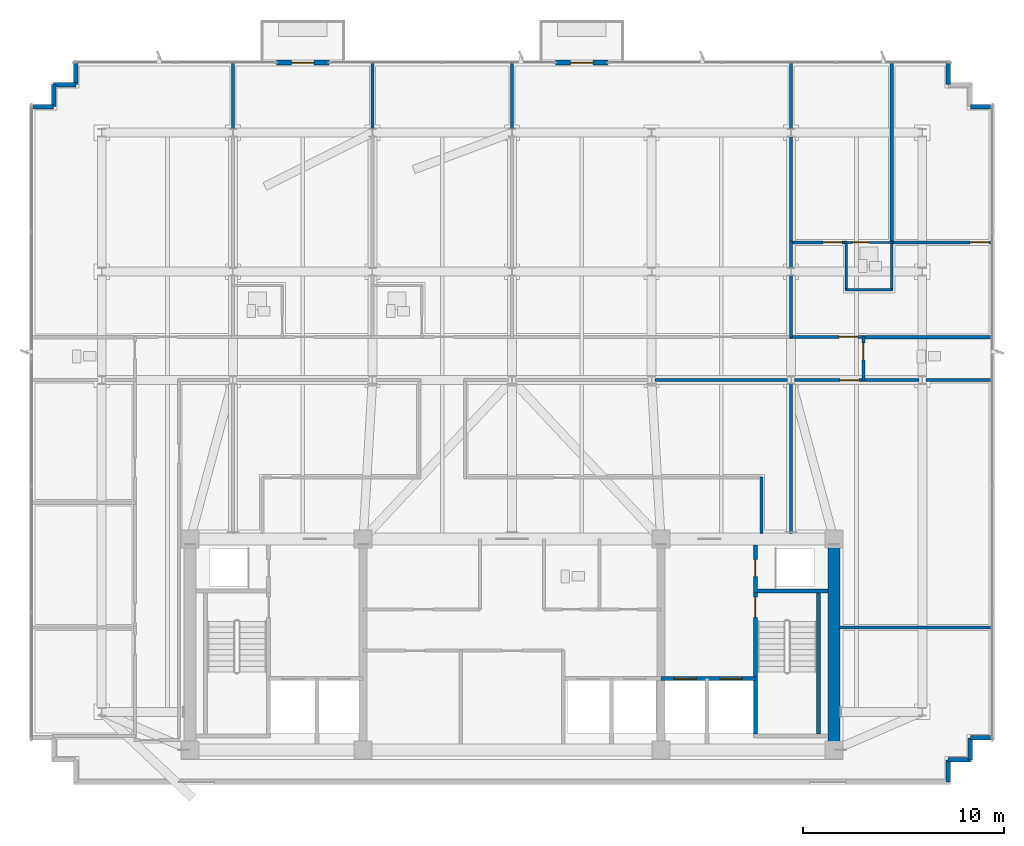
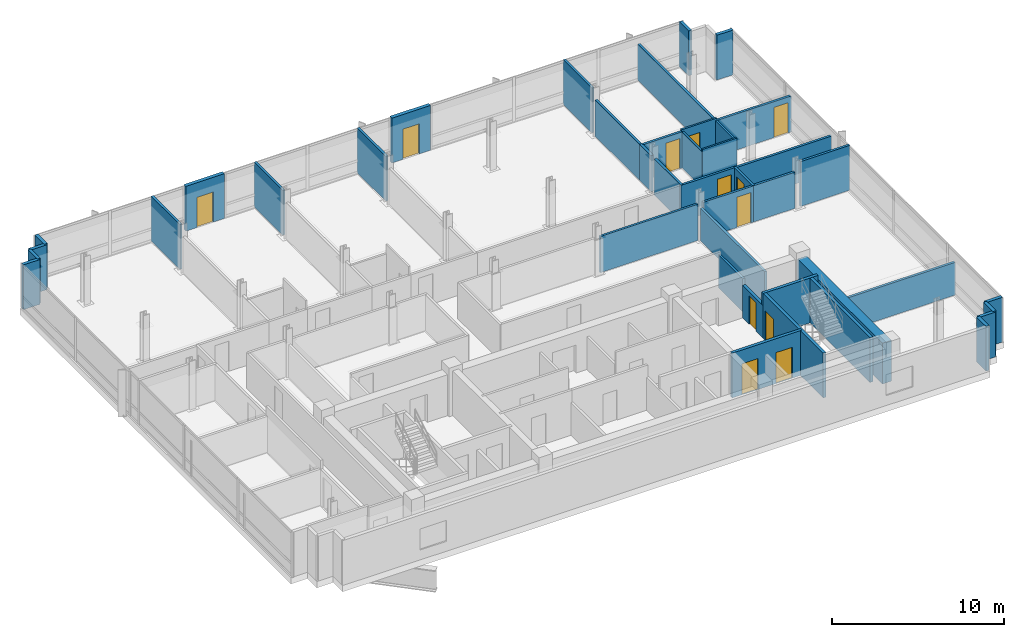
# One storey, part 10 of 16: 42 walls, 12 doors, 12 openings.
"""IFC4 building model written with IfcOpenShell, lengths in metres."""

from ifc_helpers import new_model, si_unit, direction, frame, frame_2d, origin, place, context, subcontext, project, spatial, rectangle, extrude, material, layer, layer_set, type_object, element, fill, save


model = new_model("IFC4")

# Units and contexts
model_context = context("Model", 3, precision=1e-05, world=origin(), true_north=direction((0.0, 1.0)))
body_context = subcontext(model_context, "Body", "Model", "MODEL_VIEW")
ifc_project = project(units=[si_unit("LENGTHUNIT", "METRE"), si_unit("AREAUNIT", "SQUARE_METRE"), si_unit("VOLUMEUNIT", "CUBIC_METRE"), si_unit("PLANEANGLEUNIT", "RADIAN"), si_unit("MASSUNIT", "GRAM", prefix="KILO")], contexts=[model_context])

# Site, building, storey
site_placement = place(None, origin())
site = spatial("IfcSite", under=ifc_project, at=site_placement, CompositionType="ELEMENT")
building_placement = place(site_placement, origin())
building = spatial("IfcBuilding", under=site, at=building_placement, Name="Solmavex Isthmus Hotel", CompositionType="ELEMENT")
storey_placement = place(building_placement, frame((0.0, 0.0, 245.39990234375)))
storey = spatial("IfcBuildingStorey", under=building, at=storey_placement, Name="L66", CompositionType="ELEMENT", Elevation=245.39990234375)

# Wall, opening, door
ifc_material_1 = material(Name="Precast Concrete C40/50", Category="concrete")
ifc_layer_1 = layer(ifc_material_1, 0.25)
ifc_layer_set_1 = layer_set([ifc_layer_1], Name="Precast Concrete C40/50")
wall_type_1 = type_object("IfcWallType", Name="EW-TWR-250", PredefinedType="STANDARD", material=ifc_layer_set_1)
wall_1_placement = place(storey_placement, frame((-11.7041015625, 21.179931640625, 0.0), z_axis=(0.0, 0.0, 1.0), x_axis=(1.0, 0.0, 0.0)))
wall_1 = element("IfcWall", 1, at=wall_1_placement, inside=storey, type_object=wall_type_1, Name="Exterior Balcony Door Wall L66-2", PredefinedType="STANDARD", context=body_context, shape_type="SweptSolid", body=[
    extrude(rectangle(XDim=2.60009765625, YDim=0.239990234375, at=frame_2d((1.300048828125, 0.0))), origin(), (0.0, 0.0, 1.0), 3.190185546875),
])
opening_1_placement = place(wall_1_placement, frame((0.75, 0.0, 0.0)))
opening_1 = element("IfcOpeningElement", 2, at=opening_1_placement, cuts=wall_1, Name="Opening ED-02", PredefinedType="OPENING", context=body_context, shape_type="SweptSolid", body=[
    extrude(rectangle(XDim=1.10009765625, YDim=2.14990234375, at=frame_2d((0.550048828125, 1.074951171875))), frame((0.0, 0.1298828125, 0.0), z_axis=(0.0, -1.0, 0.0), x_axis=(1.0, 0.0, 0.0)), (0.0, 0.0, 1.0), 0.260009765625),
])
ifc_material_2 = material(Name="Aluminium alloy 6063-T6", Category="aluminium")
door_type_1 = type_object("IfcDoorType", Name="EDR-BALC-1100", OperationType="NOTDEFINED", PredefinedType="DOOR", material=ifc_material_2)
door_1_placement = place(opening_1_placement, origin())
door_1 = element("IfcDoor", 3, at=door_1_placement, inside=storey, type_object=door_type_1, Name="Balcony & Terrace Glazed Door L66-2", OperationType="SINGLE_SWING_RIGHT", OverallHeight=2.14990234375, OverallWidth=1.10009765625, PredefinedType="DOOR", context=body_context, shape_type="SweptSolid", body=[
    extrude(rectangle(XDim=1.10009765625, YDim=2.14990234375, at=frame_2d((0.550048828125, 1.074951171875))), frame((0.0, 0.02490234375, 0.0), z_axis=(0.0, -1.0, 0.0), x_axis=(1.0, 0.0, 0.0)), (0.0, 0.0, 1.0), 0.050048828125),
])
fill(opening_1, door_1)

wall_2_placement = place(storey_placement, frame((2.16796875, 21.179931640625, 0.0), z_axis=(0.0, 0.0, 1.0), x_axis=(1.0, 0.0, 0.0)))
wall_2 = element("IfcWall", 4, at=wall_2_placement, inside=storey, type_object=wall_type_1, Name="Exterior Balcony Door Wall L66-3", PredefinedType="STANDARD", context=body_context, shape_type="SweptSolid", body=[
    extrude(rectangle(XDim=2.60009765625, YDim=0.239990234375, at=frame_2d((1.300048828125, 0.0))), origin(), (0.0, 0.0, 1.0), 3.190185546875),
])
opening_2_placement = place(wall_2_placement, frame((0.75, 0.0, 0.0)))
opening_2 = element("IfcOpeningElement", 5, at=opening_2_placement, cuts=wall_2, Name="Opening ED-02", PredefinedType="OPENING", context=body_context, shape_type="SweptSolid", body=[
    extrude(rectangle(XDim=1.10009765625, YDim=2.14990234375, at=frame_2d((0.550048828125, 1.074951171875))), frame((0.0, 0.1298828125, 0.0), z_axis=(0.0, -1.0, 0.0), x_axis=(1.0, 0.0, 0.0)), (0.0, 0.0, 1.0), 0.260009765625),
])
door_2_placement = place(opening_2_placement, origin())
door_2 = element("IfcDoor", 6, at=door_2_placement, inside=storey, type_object=door_type_1, Name="Balcony & Terrace Glazed Door L66-3", OperationType="SINGLE_SWING_LEFT", OverallHeight=2.14990234375, OverallWidth=1.10009765625, PredefinedType="DOOR", context=body_context, shape_type="SweptSolid", body=[
    extrude(rectangle(XDim=1.10009765625, YDim=2.14990234375, at=frame_2d((0.550048828125, 1.074951171875))), frame((0.0, 0.02490234375, 0.0), z_axis=(0.0, -1.0, 0.0), x_axis=(1.0, 0.0, 0.0)), (0.0, 0.0, 1.0), 0.050048828125),
])
fill(opening_2, door_2)

# Walls
wall_3_placement = place(storey_placement, frame((-23.889892578125, 18.989990234375, 0.0), z_axis=(0.0, 0.0, 1.0), x_axis=(1.0, 0.0, 0.0)))
element("IfcWall", 7, at=wall_3_placement, inside=storey, type_object=wall_type_1, Name="Serrated Corner Facade Panel L66-06", PredefinedType="STANDARD", context=body_context, shape_type="SweptSolid", body=[
    extrude(rectangle(XDim=1.099853515625, YDim=0.219970703125, at=frame_2d((0.5498046875, 0.0))), origin(), (0.0, 0.0, 1.0), 3.190185546875),
])
for number, where, z_axis, x_axis, name in (
    (8, (-22.7900390625, 18.989990234375, 0.0), (0.0, 0.0, 1.0), (0.0, 1.0, 0.0), "Serrated Corner Facade Panel L66-07"),
    (9, (-22.7900390625, 20.090087890625, 0.0), (0.0, 0.0, 1.0), (1.0, 0.0, 0.0), "Serrated Corner Facade Panel L66-08"),
):
    element("IfcWall", number, at=place(storey_placement, frame(where, z_axis=z_axis, x_axis=x_axis)), inside=storey, type_object=wall_type_1, Name=name, PredefinedType="STANDARD", context=body_context, shape_type="SweptSolid", body=[
        extrude(rectangle(XDim=1.10009765625, YDim=0.219970703125, at=frame_2d((0.550048828125, 0.0))), origin(), (0.0, 0.0, 1.0), 3.190185546875),
    ])
for number, where, z_axis, x_axis, name in (
    (10, (-21.68994140625, 20.090087890625, 0.0), (0.0, 0.0, 1.0), (0.0, 1.0, 0.0), "Serrated Corner Facade Panel L66-09"),
    (11, (21.68994140625, 21.18994140625, 0.0), (0.0, 0.0, 1.0), (0.0, -1.0, 0.0), "Serrated Corner Facade Panel L66-11"),
    (12, (22.7900390625, 18.989990234375, 0.0), (0.0, 0.0, 1.0), (1.0, 0.0, 0.0), "Serrated Corner Facade Panel L66-14"),
    (13, (23.889892578125, -12.389892578125, 0.0), (0.0, 0.0, 1.0), (-1.0, 0.0, 0.0), "Serrated Corner Facade Panel L66-16"),
):
    element("IfcWall", number, at=place(storey_placement, frame(where, z_axis=z_axis, x_axis=x_axis)), inside=storey, type_object=wall_type_1, Name=name, PredefinedType="STANDARD", context=body_context, shape_type="SweptSolid", body=[
        extrude(rectangle(XDim=1.099853515625, YDim=0.219970703125, at=frame_2d((0.5498046875, 0.0))), origin(), (0.0, 0.0, 1.0), 3.190185546875),
    ])
for number, where, z_axis, x_axis, name in (
    (14, (22.7900390625, -12.389892578125, 0.0), (0.0, 0.0, 1.0), (0.0, -1.0, 0.0), "Serrated Corner Facade Panel L66-17"),
    (15, (22.7900390625, -13.489990234375, 0.0), (0.0, 0.0, 1.0), (-1.0, 0.0, 0.0), "Serrated Corner Facade Panel L66-18"),
    (16, (21.68994140625, -13.489990234375, 0.0), (0.0, 0.0, 1.0), (0.0, -1.0, 0.0), "Serrated Corner Facade Panel L66-19"),
):
    element("IfcWall", number, at=place(storey_placement, frame(where, z_axis=z_axis, x_axis=x_axis)), inside=storey, type_object=wall_type_1, Name=name, PredefinedType="STANDARD", context=body_context, shape_type="SweptSolid", body=[
        extrude(rectangle(XDim=1.10009765625, YDim=0.219970703125, at=frame_2d((0.550048828125, 0.0))), origin(), (0.0, 0.0, 1.0), 3.190185546875),
    ])
ifc_material_3 = material(Name="Gypsum plasterboard lining", Category="gypsum")
ifc_layer_2 = layer(ifc_material_3, 0.159912109375)
ifc_layer_set_2 = layer_set([ifc_layer_2], Name="Gypsum plasterboard lining")
wall_type_2 = type_object("IfcWallType", Name="IW-COMP-160", PredefinedType="PARTITIONING", material=ifc_layer_set_2)
for number, where, z_axis, x_axis, name in (
    (17, (-13.8720703125, 21.219970703125, 0.0), (0.0, 0.0, 1.0), (0.0, -1.0, 0.0), "Interior Partition Wall W-L66-P033"),
    (18, (-6.93603515625, 21.219970703125, 0.0), (0.0, 0.0, 1.0), (0.0, -1.0, 0.0), "Interior Partition Wall W-L66-P039"),
    (19, (0.0, 21.219970703125, 0.0), (0.0, 0.0, 1.0), (0.0, -1.0, 0.0), "Interior Partition Wall W-L66-P044"),
):
    element("IfcWall", number, at=place(storey_placement, frame(where, z_axis=z_axis, x_axis=x_axis)), inside=storey, type_object=wall_type_2, Name=name, PredefinedType="PARTITIONING", context=body_context, shape_type="SweptSolid", body=[
        extrude(rectangle(XDim=3.344970703125, YDim=0.159912109375, at=frame_2d((1.67236328125, 0.0))), origin(), (0.0, 0.0, 1.0), 3.190185546875),
    ])
wall_4_placement = place(storey_placement, frame((13.8720703125, 10.613037109375, 0.0), z_axis=(0.0, 0.0, 1.0), x_axis=(0.0, -1.0, 0.0)))
element("IfcWall", 20, at=wall_4_placement, inside=storey, type_object=wall_type_2, Name="Interior Partition Wall W-L66-P045", PredefinedType="PARTITIONING", context=body_context, shape_type="SweptSolid", body=[
    extrude(rectangle(XDim=3.10302734375, YDim=0.159912109375, at=frame_2d((1.551513671875, 0.0))), origin(), (0.0, 0.0, 1.0), 2.572509765625),
])
wall_5_placement = place(storey_placement, frame((13.8720703125, 12.320068359375, 0.0), z_axis=(0.0, 0.0, 1.0), x_axis=(0.0, -1.0, 0.0)))
element("IfcWall", 21, at=wall_5_placement, inside=storey, type_object=wall_type_2, Name="Interior Partition Wall W-L66-P046", PredefinedType="PARTITIONING", context=body_context, shape_type="SweptSolid", body=[
    extrude(rectangle(XDim=1.357177734375, YDim=0.159912109375, at=frame_2d((0.6787109375, 0.0))), origin(), (0.0, 0.0, 1.0), 2.572509765625),
])
wall_6_placement = place(storey_placement, frame((13.8720703125, 17.52490234375, 0.0), z_axis=(0.0, 0.0, 1.0), x_axis=(0.0, -1.0, 0.0)))
element("IfcWall", 22, at=wall_6_placement, inside=storey, type_object=wall_type_2, Name="Interior Partition Wall W-L66-P047", PredefinedType="PARTITIONING", context=body_context, shape_type="SweptSolid", body=[
    extrude(rectangle(XDim=5.368896484375, YDim=0.159912109375, at=frame_2d((2.6845703125, 0.0))), origin(), (0.0, 0.0, 1.0), 2.572509765625),
])
wall_7_placement = place(storey_placement, frame((13.8720703125, 21.219970703125, 0.0), z_axis=(0.0, 0.0, 1.0), x_axis=(0.0, -1.0, 0.0)))
element("IfcWall", 23, at=wall_7_placement, inside=storey, type_object=wall_type_2, Name="Interior Partition Wall W-L66-P048", PredefinedType="PARTITIONING", context=body_context, shape_type="SweptSolid", body=[
    extrude(rectangle(XDim=3.344970703125, YDim=0.159912109375, at=frame_2d((1.67236328125, 0.0))), origin(), (0.0, 0.0, 1.0), 3.190185546875),
])

# Wall, opening, door
wall_8_placement = place(storey_placement, frame((13.83203125, 12.238037109375, 0.0), z_axis=(0.0, 0.0, 1.0), x_axis=(1.0, 0.0, 0.0)))
wall_8 = element("IfcWall", 24, at=wall_8_placement, inside=storey, type_object=wall_type_2, Name="Interior Partition Wall W-L66-P049", PredefinedType="PARTITIONING", context=body_context, shape_type="SweptSolid", body=[
    extrude(rectangle(XDim=2.833984375, YDim=0.159912109375, at=frame_2d((1.4169921875, 0.0))), origin(), (0.0, 0.0, 1.0), 2.572509765625),
])
opening_3_placement = place(wall_8_placement, frame((1.635986328125, 0.0, 0.0)))
opening_3 = element("IfcOpeningElement", 25, at=opening_3_placement, cuts=wall_8, Name="Opening ID-C095", PredefinedType="OPENING", context=body_context, shape_type="SweptSolid", body=[
    extrude(rectangle(XDim=0.949951171875, YDim=2.14990234375, at=frame_2d((0.47509765625, 1.074951171875))), frame((0.0, 0.08984375, 0.0), z_axis=(0.0, -1.0, 0.0), x_axis=(1.0, 0.0, 0.0)), (0.0, 0.0, 1.0), 0.179931640625),
])
ifc_material_4 = material(Name="Hardwood timber", Category="wood")
door_type_2 = type_object("IfcDoorType", Name="IDR-FD60-0950", OperationType="NOTDEFINED", PredefinedType="DOOR", material=ifc_material_4)
door_3_placement = place(opening_3_placement, origin())
door_3 = element("IfcDoor", 26, at=door_3_placement, inside=storey, type_object=door_type_2, Name="Diplomatic Suite Master Bedroom Door L66-08", OperationType="SINGLE_SWING_RIGHT", OverallHeight=2.14990234375, OverallWidth=0.949951171875, PredefinedType="DOOR", context=body_context, shape_type="SweptSolid", body=[
    extrude(rectangle(XDim=0.949951171875, YDim=2.14990234375, at=frame_2d((0.47509765625, 1.074951171875))), frame((0.0, 0.02490234375, 0.0), z_axis=(0.0, -1.0, 0.0), x_axis=(1.0, 0.0, 0.0)), (0.0, 0.0, 1.0), 0.050048828125),
])
fill(opening_3, door_3)

wall_9_placement = place(storey_placement, frame((18.8359375, 12.238037109375, 0.0), z_axis=(0.0, 0.0, 1.0), x_axis=(1.0, 0.0, 0.0)))
wall_9 = element("IfcWall", 27, at=wall_9_placement, inside=storey, type_object=wall_type_2, Name="Interior Partition Wall W-L66-P050", PredefinedType="PARTITIONING", context=body_context, shape_type="SweptSolid", body=[
    extrude(rectangle(XDim=5.083984375, YDim=0.159912109375, at=frame_2d((2.5419921875, 0.0))), origin(), (0.0, 0.0, 1.0), 2.5576171875),
])
opening_4_placement = place(wall_9_placement, frame((3.924072265625, 0.0, 0.0)))
opening_4 = element("IfcOpeningElement", 28, at=opening_4_placement, cuts=wall_9, Name="Opening ID-C095", PredefinedType="OPENING", context=body_context, shape_type="SweptSolid", body=[
    extrude(rectangle(XDim=0.949951171875, YDim=2.14990234375, at=frame_2d((0.47509765625, 1.074951171875))), frame((0.0, 0.08984375, 0.0), z_axis=(0.0, -1.0, 0.0), x_axis=(1.0, 0.0, 0.0)), (0.0, 0.0, 1.0), 0.179931640625),
])
door_4_placement = place(opening_4_placement, origin())
door_4 = element("IfcDoor", 29, at=door_4_placement, inside=storey, type_object=door_type_2, Name="Diplomatic Suite Panorama Sitting Study Door L66-09", OperationType="SINGLE_SWING_LEFT", OverallHeight=2.14990234375, OverallWidth=0.949951171875, PredefinedType="DOOR", context=body_context, shape_type="SweptSolid", body=[
    extrude(rectangle(XDim=0.949951171875, YDim=2.14990234375, at=frame_2d((0.47509765625, 1.074951171875))), frame((0.0, 0.02490234375, 0.0), z_axis=(0.0, -1.0, 0.0), x_axis=(1.0, 0.0, 0.0)), (0.0, 0.0, 1.0), 0.050048828125),
])
fill(opening_4, door_4)

# Walls
wall_10_placement = place(storey_placement, frame((23.919921875, 7.530029296875, 0.0), z_axis=(0.0, 0.0, 1.0), x_axis=(-1.0, 0.0, 0.0)))
element("IfcWall", 30, at=wall_10_placement, inside=storey, type_object=wall_type_2, Name="Interior Partition Wall W-L66-P054", PredefinedType="PARTITIONING", context=body_context, shape_type="SweptSolid", body=[
    extrude(rectangle(XDim=6.488037109375, YDim=0.159912109375, at=frame_2d((3.244140625, 0.0))), origin(), (0.0, 0.0, 1.0), 2.5576171875),
])
wall_11_placement = place(storey_placement, frame((18.8759765625, 21.219970703125, 0.0), z_axis=(0.0, 0.0, 1.0), x_axis=(0.0, -1.0, 0.0)))
element("IfcWall", 31, at=wall_11_placement, inside=storey, type_object=wall_type_2, Name="Interior Partition Wall W-L66-P055", PredefinedType="PARTITIONING", context=body_context, shape_type="SweptSolid", body=[
    extrude(rectangle(XDim=9.02197265625, YDim=0.159912109375, at=frame_2d((4.510986328125, 0.0))), origin(), (0.0, 0.0, 1.0), 2.5576171875),
])
wall_12_placement = place(storey_placement, frame((20.22509765625, 5.39990234375, 0.0), z_axis=(0.0, 0.0, 1.0), x_axis=(-1.0, 0.0, 0.0)))
element("IfcWall", 32, at=wall_12_placement, inside=storey, type_object=wall_type_2, Name="Interior Partition Wall W-L66-P059", PredefinedType="PARTITIONING", context=body_context, shape_type="SweptSolid", body=[
    extrude(rectangle(XDim=2.793212890625, YDim=0.159912109375, at=frame_2d((1.396484375, 0.0))), origin(), (0.0, 0.0, 1.0), 2.572509765625),
])
wall_13_placement = place(storey_placement, frame((23.919921875, 5.39990234375, 0.0), z_axis=(0.0, 0.0, 1.0), x_axis=(-1.0, 0.0, 0.0)))
element("IfcWall", 33, at=wall_13_placement, inside=storey, type_object=wall_type_2, Name="Interior Partition Wall W-L66-P060", PredefinedType="PARTITIONING", context=body_context, shape_type="SweptSolid", body=[
    extrude(rectangle(XDim=3.344970703125, YDim=0.159912109375, at=frame_2d((1.67236328125, 0.0))), origin(), (0.0, 0.0, 1.0), 3.190185546875),
])
wall_14_placement = place(storey_placement, frame((13.8720703125, 5.22509765625, 0.0), z_axis=(0.0, 0.0, 1.0), x_axis=(0.0, -1.0, 0.0)))
element("IfcWall", 34, at=wall_14_placement, inside=storey, type_object=wall_type_2, Name="Interior Partition Wall W-L66-P065", PredefinedType="PARTITIONING", context=body_context, shape_type="SweptSolid", body=[
    extrude(rectangle(XDim=7.465087890625, YDim=0.159912109375, at=frame_2d((3.732421875, 0.0))), origin(), (0.0, 0.0, 1.0), 2.3251953125),
])
wall_15_placement = place(storey_placement, frame((16.260009765625, -6.89990234375, 0.0), z_axis=(0.0, 0.0, 1.0), x_axis=(1.0, 0.0, 0.0)))
element("IfcWall", 35, at=wall_15_placement, inside=storey, type_object=wall_type_2, Name="Interior Partition Wall W-L66-P066", PredefinedType="PARTITIONING", context=body_context, shape_type="SweptSolid", body=[
    extrude(rectangle(XDim=7.659912109375, YDim=0.159912109375, at=frame_2d((3.830078125, 0.0))), origin(), (0.0, 0.0, 1.0), 2.3251953125),
])

# Wall, opening, door
ifc_layer_3 = layer(ifc_material_3, 0.14990234375)
ifc_layer_set_3 = layer_set([ifc_layer_3], Name="Gypsum plasterboard lining")
wall_type_3 = type_object("IfcWallType", Name="IW-CORR-150", PredefinedType="PARTITIONING", material=ifc_layer_set_3)
wall_16_placement = place(storey_placement, frame((13.7900390625, 7.550048828125, 0.0), z_axis=(0.0, 0.0, 1.0), x_axis=(1.0, 0.0, 0.0)))
wall_16 = element("IfcWall", 36, at=wall_16_placement, inside=storey, type_object=wall_type_3, Name="Interior Partition Wall W-L66-P007", PredefinedType="PARTITIONING", context=body_context, shape_type="SweptSolid", body=[
    extrude(rectangle(XDim=3.721923828125, YDim=0.14990234375, at=frame_2d((1.86083984375, 0.0))), origin(), (0.0, 0.0, 1.0), 2.572509765625),
])
opening_5_placement = place(wall_16_placement, frame((2.456787109375, 0.0, 0.0)))
opening_5 = element("IfcOpeningElement", 37, at=opening_5_placement, cuts=wall_16, Name="Opening ID-C095", PredefinedType="OPENING", context=body_context, shape_type="SweptSolid", body=[
    extrude(rectangle(XDim=0.949951171875, YDim=2.14990234375, at=frame_2d((0.47509765625, 1.074951171875))), frame((0.0, 0.0849609375, 0.0), z_axis=(0.0, -1.0, 0.0), x_axis=(1.0, 0.0, 0.0)), (0.0, 0.0, 1.0), 0.169921875),
])
door_5_placement = place(opening_5_placement, origin())
door_5 = element("IfcDoor", 38, at=door_5_placement, inside=storey, type_object=door_type_2, Name="Diplomatic Suite Living Salon Door L66-07", OperationType="SINGLE_SWING_LEFT", OverallHeight=2.14990234375, OverallWidth=0.949951171875, PredefinedType="DOOR", context=body_context, shape_type="SweptSolid", body=[
    extrude(rectangle(XDim=0.949951171875, YDim=2.14990234375, at=frame_2d((0.47509765625, 1.074951171875))), frame((0.0, 0.02490234375, 0.0), z_axis=(0.0, -1.0, 0.0), x_axis=(1.0, 0.0, 0.0)), (0.0, 0.0, 1.0), 0.050048828125),
])
fill(opening_5, door_5)

wall_17_placement = place(storey_placement, frame((17.471923828125, 7.570068359375, 0.0), z_axis=(0.0, 0.0, 1.0), x_axis=(0.0, -1.0, 0.0)))
wall_17 = element("IfcWall", 39, at=wall_17_placement, inside=storey, type_object=wall_type_3, Name="Interior Partition Wall W-L66-P009", PredefinedType="PARTITIONING", context=body_context, shape_type="SweptSolid", body=[
    extrude(rectangle(XDim=2.2099609375, YDim=0.14990234375, at=frame_2d((1.10498046875, 0.0))), origin(), (0.0, 0.0, 1.0), 2.572509765625),
])
opening_6_placement = place(wall_17_placement, frame((0.322265625, 0.0, 0.0)))
opening_6 = element("IfcOpeningElement", 40, at=opening_6_placement, cuts=wall_17, Name="Opening ID-R085", PredefinedType="OPENING", context=body_context, shape_type="SweptSolid", body=[
    extrude(rectangle(XDim=0.85009765625, YDim=2.050048828125, at=frame_2d((0.425048828125, 1.02490234375))), frame((0.0, 0.0849609375, 0.0), z_axis=(0.0, -1.0, 0.0), x_axis=(1.0, 0.0, 0.0)), (0.0, 0.0, 1.0), 0.169921875),
])
ifc_material_5 = material(Name="Steel ASTM A500 Grade C", Category="steel")
door_type_3 = type_object("IfcDoorType", Name="IDR-FD60-0850", OperationType="NOTDEFINED", PredefinedType="DOOR", material=ifc_material_5)
door_6_placement = place(opening_6_placement, frame((0.85009765625, 0.0, 0.0), z_axis=(0.0, 0.0, 1.0), x_axis=(-1.0, 0.0, 0.0)))
door_6 = element("IfcDoor", 41, at=door_6_placement, inside=storey, type_object=door_type_3, Name="Public Restroom WC Door L66-12", OperationType="SINGLE_SWING_RIGHT", OverallHeight=2.050048828125, OverallWidth=0.85009765625, PredefinedType="DOOR", context=body_context, shape_type="SweptSolid", body=[
    extrude(rectangle(XDim=0.85009765625, YDim=2.050048828125, at=frame_2d((0.425048828125, 1.02490234375))), frame((0.0, 0.02490234375, 0.0), z_axis=(0.0, -1.0, 0.0), x_axis=(1.0, 0.0, 0.0)), (0.0, 0.0, 1.0), 0.050048828125),
])
fill(opening_6, door_6)

# Walls
wall_18_placement = place(storey_placement, frame((13.697021484375, 5.39990234375, 0.0), z_axis=(0.0, 0.0, 1.0), x_axis=(-1.0, 0.0, 0.0)))
element("IfcWall", 42, at=wall_18_placement, inside=storey, type_object=wall_type_3, Name="Interior Partition Wall W-L66-P021", PredefinedType="PARTITIONING", context=body_context, shape_type="SweptSolid", body=[
    extrude(rectangle(XDim=6.5859375, YDim=0.14990234375, at=frame_2d((3.29296875, 0.0))), origin(), (0.0, 0.0, 1.0), 2.572509765625),
])
wall_19_placement = place(storey_placement, frame((12.39990234375, 0.590087890625, 0.0), z_axis=(0.0, 0.0, 1.0), x_axis=(0.0, -1.0, 0.0)))
element("IfcWall", 43, at=wall_19_placement, inside=storey, type_object=wall_type_3, Name="Interior Partition Wall W-L66-P028", PredefinedType="PARTITIONING", context=body_context, shape_type="SweptSolid", body=[
    extrude(rectangle(XDim=2.830078125, YDim=0.14990234375, at=frame_2d((1.4150390625, 0.0))), origin(), (0.0, 0.0, 1.0), 2.3251953125),
])

# Wall, opening, door
wall_20_placement = place(storey_placement, frame((17.511962890625, 5.39990234375, 0.0), z_axis=(0.0, 0.0, 1.0), x_axis=(-1.0, 0.0, 0.0)))
wall_20 = element("IfcWall", 44, at=wall_20_placement, inside=storey, type_object=wall_type_3, Name="Interior Partition Wall W-L66-P030", PredefinedType="PARTITIONING", context=body_context, shape_type="SweptSolid", body=[
    extrude(rectangle(XDim=3.46484375, YDim=0.14990234375, at=frame_2d((1.732421875, 0.0))), origin(), (0.0, 0.0, 1.0), 2.572509765625),
])
opening_7_placement = place(wall_20_placement, frame((0.26220703125, 0.0, 0.0)))
opening_7 = element("IfcOpeningElement", 45, at=opening_7_placement, cuts=wall_20, Name="Opening ID-C095", PredefinedType="OPENING", context=body_context, shape_type="SweptSolid", body=[
    extrude(rectangle(XDim=0.949951171875, YDim=2.14990234375, at=frame_2d((0.47509765625, 1.074951171875))), frame((0.0, 0.0849609375, 0.0), z_axis=(0.0, -1.0, 0.0), x_axis=(1.0, 0.0, 0.0)), (0.0, 0.0, 1.0), 0.169921875),
])
door_7_placement = place(opening_7_placement, origin())
door_7 = element("IfcDoor", 46, at=door_7_placement, inside=storey, type_object=door_type_2, Name="Executive Meeting Room Door L66-20", OperationType="SINGLE_SWING_RIGHT", OverallHeight=2.14990234375, OverallWidth=0.949951171875, PredefinedType="DOOR", context=body_context, shape_type="SweptSolid", body=[
    extrude(rectangle(XDim=0.949951171875, YDim=2.14990234375, at=frame_2d((0.47509765625, 1.074951171875))), frame((0.0, 0.02490234375, 0.0), z_axis=(0.0, -1.0, 0.0), x_axis=(1.0, 0.0, 0.0)), (0.0, 0.0, 1.0), 0.050048828125),
])
fill(opening_7, door_7)

# Walls
ifc_layer_4 = layer(ifc_material_3, 0.1201171875)
ifc_layer_set_4 = layer_set([ifc_layer_4], Name="Gypsum plasterboard lining")
wall_type_4 = type_object("IfcWallType", Name="IW-PART-120", PredefinedType="PARTITIONING", material=ifc_layer_set_4)
wall_21_placement = place(storey_placement, frame((16.6259765625, 12.278076171875, 0.0), z_axis=(0.0, 0.0, 1.0), x_axis=(0.0, -1.0, 0.0)))
element("IfcWall", 47, at=wall_21_placement, inside=storey, type_object=wall_type_4, Name="Interior Partition Wall W-L66-P051", PredefinedType="PARTITIONING", context=body_context, shape_type="SweptSolid", body=[
    extrude(rectangle(XDim=2.43017578125, YDim=0.1201171875, at=frame_2d((1.215087890625, 0.0))), origin(), (0.0, 0.0, 1.0), 2.572509765625),
])
wall_22_placement = place(storey_placement, frame((16.5859375, 9.887939453125, 0.0), z_axis=(0.0, 0.0, 1.0), x_axis=(1.0, 0.0, 0.0)))
element("IfcWall", 48, at=wall_22_placement, inside=storey, type_object=wall_type_4, Name="Interior Partition Wall W-L66-P052", PredefinedType="PARTITIONING", context=body_context, shape_type="SweptSolid", body=[
    extrude(rectangle(XDim=2.330078125, YDim=0.1201171875, at=frame_2d((1.1650390625, 0.0))), origin(), (0.0, 0.0, 1.0), 2.71826171875),
])
wall_23_placement = place(storey_placement, frame((18.8759765625, 9.847900390625, 0.0), z_axis=(0.0, 0.0, 1.0), x_axis=(0.0, 1.0, 0.0)))
element("IfcWall", 49, at=wall_23_placement, inside=storey, type_object=wall_type_4, Name="Interior Partition Wall W-L66-P053", PredefinedType="PARTITIONING", context=body_context, shape_type="SweptSolid", body=[
    extrude(rectangle(XDim=2.43017578125, YDim=0.1201171875, at=frame_2d((1.215087890625, 0.0))), origin(), (0.0, 0.0, 1.0), 2.572509765625),
])

# Wall, opening, door
wall_24_placement = place(storey_placement, frame((18.916015625, 12.238037109375, 0.0), z_axis=(0.0, 0.0, 1.0), x_axis=(-1.0, 0.0, 0.0)))
wall_24 = element("IfcWall", 50, at=wall_24_placement, inside=storey, type_object=wall_type_4, Name="Interior Partition Wall W-L66-P056", PredefinedType="PARTITIONING", context=body_context, shape_type="SweptSolid", body=[
    extrude(rectangle(XDim=2.3720703125, YDim=0.1201171875, at=frame_2d((1.18603515625, 0.0))), origin(), (0.0, 0.0, 1.0), 2.71826171875),
])
opening_8_placement = place(wall_24_placement, frame((1.14599609375, 0.0, 0.0)))
opening_8 = element("IfcOpeningElement", 51, at=opening_8_placement, cuts=wall_24, Name="Opening ID-U085", PredefinedType="OPENING", context=body_context, shape_type="SweptSolid", body=[
    extrude(rectangle(XDim=0.85009765625, YDim=2.10009765625, at=frame_2d((0.425048828125, 1.050048828125))), frame((0.0, 0.070068359375, 0.0), z_axis=(0.0, -1.0, 0.0), x_axis=(1.0, 0.0, 0.0)), (0.0, 0.0, 1.0), 0.14013671875),
])
door_type_4 = type_object("IfcDoorType", Name="IDR-UNR-0850", OperationType="NOTDEFINED", PredefinedType="DOOR", material=ifc_material_4)
door_8_placement = place(opening_8_placement, frame((0.85009765625, 0.0, 0.0), z_axis=(0.0, 0.0, 1.0), x_axis=(-1.0, 0.0, 0.0)))
door_8 = element("IfcDoor", 52, at=door_8_placement, inside=storey, type_object=door_type_4, Name="En-suite Bathroom Door L66-10", OperationType="SINGLE_SWING_RIGHT", OverallHeight=2.10009765625, OverallWidth=0.85009765625, PredefinedType="DOOR", context=body_context, shape_type="SweptSolid", body=[
    extrude(rectangle(XDim=0.85009765625, YDim=2.10009765625, at=frame_2d((0.425048828125, 1.050048828125))), frame((0.0, 0.02490234375, 0.0), z_axis=(0.0, -1.0, 0.0), x_axis=(1.0, 0.0, 0.0)), (0.0, 0.0, 1.0), 0.050048828125),
])
fill(opening_8, door_8)

ifc_material_6 = material(Name="Concrete C40/50", Category="concrete")
ifc_layer_5 = layer(ifc_material_6, 0.199951171875)
ifc_layer_set_5 = layer_set([ifc_layer_5], Name="Concrete C40/50")
wall_type_5 = type_object("IfcWallType", Name="IW-SHAFT-200", PredefinedType="PARTITIONING", material=ifc_layer_set_5)
wall_25_placement = place(storey_placement, frame((12.10009765625, -5.199951171875, 0.0), z_axis=(0.0, 0.0, 1.0), x_axis=(0.0, 1.0, 0.0)))
wall_25 = element("IfcWall", 53, at=wall_25_placement, inside=storey, type_object=wall_type_5, Name="Interior Partition Wall W-L66-RSE-W", PredefinedType="PARTITIONING", context=body_context, shape_type="SweptSolid", body=[
    extrude(rectangle(XDim=2.39990234375, YDim=0.199951171875, at=frame_2d((1.199951171875, 0.0))), origin(), (0.0, 0.0, 1.0), 2.3251953125),
])
opening_9_placement = place(wall_25_placement, frame((0.824951171875, 0.0, 0.0)))
opening_9 = element("IfcOpeningElement", 54, at=opening_9_placement, cuts=wall_25, Name="Opening ID-R085", PredefinedType="OPENING", context=body_context, shape_type="SweptSolid", body=[
    extrude(rectangle(XDim=0.85009765625, YDim=2.050048828125, at=frame_2d((0.425048828125, 1.02490234375))), frame((0.0, 0.10986328125, 0.0), z_axis=(0.0, -1.0, 0.0), x_axis=(1.0, 0.0, 0.0)), (0.0, 0.0, 1.0), 0.219970703125),
])
door_9_placement = place(opening_9_placement, frame((0.85009765625, 0.0, 0.0), z_axis=(0.0, 0.0, 1.0), x_axis=(-1.0, 0.0, 0.0)))
door_9 = element("IfcDoor", 55, at=door_9_placement, inside=storey, type_object=door_type_3, Name="Mechanical Riser Door L66", OperationType="SINGLE_SWING_LEFT", OverallHeight=2.050048828125, OverallWidth=0.85009765625, PredefinedType="DOOR", context=body_context, shape_type="SweptSolid", body=[
    extrude(rectangle(XDim=0.85009765625, YDim=2.050048828125, at=frame_2d((0.425048828125, 1.02490234375))), frame((0.0, 0.02490234375, 0.0), z_axis=(0.0, -1.0, 0.0), x_axis=(1.0, 0.0, 0.0)), (0.0, 0.0, 1.0), 0.050048828125),
])
fill(opening_9, door_9)

# Wall, openings, doors
wall_26_placement = place(storey_placement, frame((7.39990234375, -9.449951171875, 0.0), z_axis=(0.0, 0.0, 1.0), x_axis=(1.0, 0.0, 0.0)))
wall_26 = element("IfcWall", 56, at=wall_26_placement, inside=storey, type_object=wall_type_5, Name="Interior Partition Wall W-L66-FFLE-S", PredefinedType="PARTITIONING", context=body_context, shape_type="SweptSolid", body=[
    extrude(rectangle(XDim=4.7001953125, YDim=0.199951171875, at=frame_2d((2.35009765625, 0.0))), origin(), (0.0, 0.0, 1.0), 3.190185546875),
])
opening_10_placement = place(wall_26_placement, frame((2.949951171875, 0.0, 0.0)))
opening_10 = element("IfcOpeningElement", 57, at=opening_10_placement, cuts=wall_26, Name="Opening LD-FF", PredefinedType="OPENING", context=body_context, shape_type="SweptSolid", body=[
    extrude(rectangle(XDim=1.10009765625, YDim=2.199951171875, at=frame_2d((0.550048828125, 1.10009765625))), frame((0.0, 0.10986328125, 0.0), z_axis=(0.0, -1.0, 0.0), x_axis=(1.0, 0.0, 0.0)), (0.0, 0.0, 1.0), 0.219970703125),
])
opening_11_placement = place(wall_26_placement, frame((0.64990234375, 0.0, 0.0)))
opening_11 = element("IfcOpeningElement", 58, at=opening_11_placement, cuts=wall_26, Name="Opening LD-SV", PredefinedType="OPENING", context=body_context, shape_type="SweptSolid", body=[
    extrude(rectangle(XDim=1.10009765625, YDim=2.199951171875, at=frame_2d((0.550048828125, 1.10009765625))), frame((0.0, 0.10986328125, 0.0), z_axis=(0.0, -1.0, 0.0), x_axis=(1.0, 0.0, 0.0)), (0.0, 0.0, 1.0), 0.219970703125),
])
ifc_material_7 = material(Name="Stainless steel 316", Category="steel")
door_type_5 = type_object("IfcDoorType", Name="LDR-FF-1100", OperationType="NOTDEFINED", PredefinedType="DOOR", material=ifc_material_7)
door_10_placement = place(opening_10_placement, origin())
door_10 = element("IfcDoor", 59, at=door_10_placement, inside=storey, type_object=door_type_5, Name="Lift Landing Door FFL-2 L66", OperationType="SLIDING_TO_LEFT", OverallHeight=2.199951171875, OverallWidth=1.10009765625, PredefinedType="DOOR", context=body_context, shape_type="SweptSolid", body=[
    extrude(rectangle(XDim=1.10009765625, YDim=2.199951171875, at=frame_2d((0.550048828125, 1.10009765625))), frame((0.0, 0.02490234375, 0.0), z_axis=(0.0, -1.0, 0.0), x_axis=(1.0, 0.0, 0.0)), (0.0, 0.0, 1.0), 0.050048828125),
])
fill(opening_10, door_10)
door_type_6 = type_object("IfcDoorType", Name="LDR-SV-1100", OperationType="NOTDEFINED", PredefinedType="DOOR", material=ifc_material_7)
door_11_placement = place(opening_11_placement, origin())
door_11 = element("IfcDoor", 60, at=door_11_placement, inside=storey, type_object=door_type_6, Name="Lift Landing Door SVL-2 L66", OperationType="SLIDING_TO_RIGHT", OverallHeight=2.199951171875, OverallWidth=1.10009765625, PredefinedType="DOOR", context=body_context, shape_type="SweptSolid", body=[
    extrude(rectangle(XDim=1.10009765625, YDim=2.199951171875, at=frame_2d((0.550048828125, 1.10009765625))), frame((0.0, 0.02490234375, 0.0), z_axis=(0.0, -1.0, 0.0), x_axis=(1.0, 0.0, 0.0)), (0.0, 0.0, 1.0), 0.050048828125),
])
fill(opening_11, door_11)

# Walls
ifc_material_8 = material(Name="Concrete C50/60", Category="concrete")
ifc_layer_6 = layer(ifc_material_8, 0.60009765625)
ifc_layer_set_6 = layer_set([ifc_layer_6], Name="Concrete C50/60")
wall_type_6 = type_object("IfcWallType", Name="WALL-CW-600", PredefinedType="SHEAR", material=ifc_layer_set_6)
wall_27_placement = place(storey_placement, frame((16.0, -12.699951171875, 0.0), z_axis=(0.0, 0.0, 1.0), x_axis=(0.0, 1.0, 0.0)))
element("IfcWall", 61, at=wall_27_placement, inside=storey, type_object=wall_type_6, Name="Core Shear Wall East L66", PredefinedType="SHEAR", context=body_context, shape_type="SweptSolid", body=[
    extrude(rectangle(XDim=9.89990234375, YDim=0.60009765625, at=frame_2d((4.949951171875, 0.0))), origin(), (0.0, 0.0, 1.0), 2.91015625),
])
ifc_layer_7 = layer(ifc_material_6, 0.199951171875)
ifc_layer_set_7 = layer_set([ifc_layer_7], Name="Concrete C40/50")
wall_type_7 = type_object("IfcWallType", Name="WALL-SW-200", PredefinedType="SOLIDWALL", material=ifc_layer_set_7)
wall_28_placement = place(storey_placement, frame((12.0, -5.10009765625, 0.0), z_axis=(0.0, 0.0, 1.0), x_axis=(1.0, 0.0, 0.0)))
element("IfcWall", 62, at=wall_28_placement, inside=storey, type_object=wall_type_7, Name="Stairwell Structural Wall SW-L66-ST2-N", PredefinedType="SOLIDWALL", context=body_context, shape_type="SweptSolid", body=[
    extrude(rectangle(XDim=3.699951171875, YDim=0.199951171875, at=frame_2d((1.85009765625, 0.0))), origin(), (0.0, 0.0, 1.0), 3.190185546875),
])

# Wall, opening, door
wall_29_placement = place(storey_placement, frame((12.10009765625, -12.199951171875, 0.0), z_axis=(0.0, 0.0, 1.0), x_axis=(0.0, 1.0, 0.0)))
wall_29 = element("IfcWall", 63, at=wall_29_placement, inside=storey, type_object=wall_type_7, Name="Stairwell Structural Wall SW-L66-ST2-W", PredefinedType="SOLIDWALL", context=body_context, shape_type="SweptSolid", body=[
    extrude(rectangle(XDim=7.0, YDim=0.199951171875, at=frame_2d((3.5, 0.0))), origin(), (0.0, 0.0, 1.0), 3.190185546875),
])
opening_12_placement = place(wall_29_placement, frame((5.800048828125, 0.0, 0.0)))
opening_12 = element("IfcOpeningElement", 64, at=opening_12_placement, cuts=wall_29, Name="Opening ID-F100", PredefinedType="OPENING", context=body_context, shape_type="SweptSolid", body=[
    extrude(rectangle(XDim=1.0, YDim=2.10009765625, at=frame_2d((0.5, 1.050048828125))), frame((0.0, 0.10986328125, 0.0), z_axis=(0.0, -1.0, 0.0), x_axis=(1.0, 0.0, 0.0)), (0.0, 0.0, 1.0), 0.219970703125),
])
door_type_7 = type_object("IfcDoorType", Name="IDR-FD90-1000", OperationType="NOTDEFINED", PredefinedType="DOOR", material=ifc_material_5)
door_12_placement = place(opening_12_placement, origin())
door_12 = element("IfcDoor", 65, at=door_12_placement, inside=storey, type_object=door_type_7, Name="Stair ST-2 Fire Door L66", OperationType="SINGLE_SWING_RIGHT", OverallHeight=2.10009765625, OverallWidth=1.0, PredefinedType="DOOR", context=body_context, shape_type="SweptSolid", body=[
    extrude(rectangle(XDim=1.0, YDim=2.10009765625, at=frame_2d((0.5, 1.050048828125))), frame((0.0, 0.02490234375, 0.0), z_axis=(0.0, -1.0, 0.0), x_axis=(1.0, 0.0, 0.0)), (0.0, 0.0, 1.0), 0.050048828125),
])
fill(opening_12, door_12)

# Wall
wall_30_placement = place(storey_placement, frame((15.25, -12.199951171875, 0.0), z_axis=(0.0, 0.0, 1.0), x_axis=(0.0, 1.0, 0.0)))
element("IfcWall", 66, at=wall_30_placement, inside=storey, type_object=wall_type_7, Name="Stairwell Structural Wall SW-L66-ST2-E", PredefinedType="SOLIDWALL", context=body_context, shape_type="SweptSolid", body=[
    extrude(rectangle(XDim=7.0, YDim=0.199951171875, at=frame_2d((3.5, 0.0))), origin(), (0.0, 0.0, 1.0), 3.190185546875),
])

save(model, "model.ifc")
